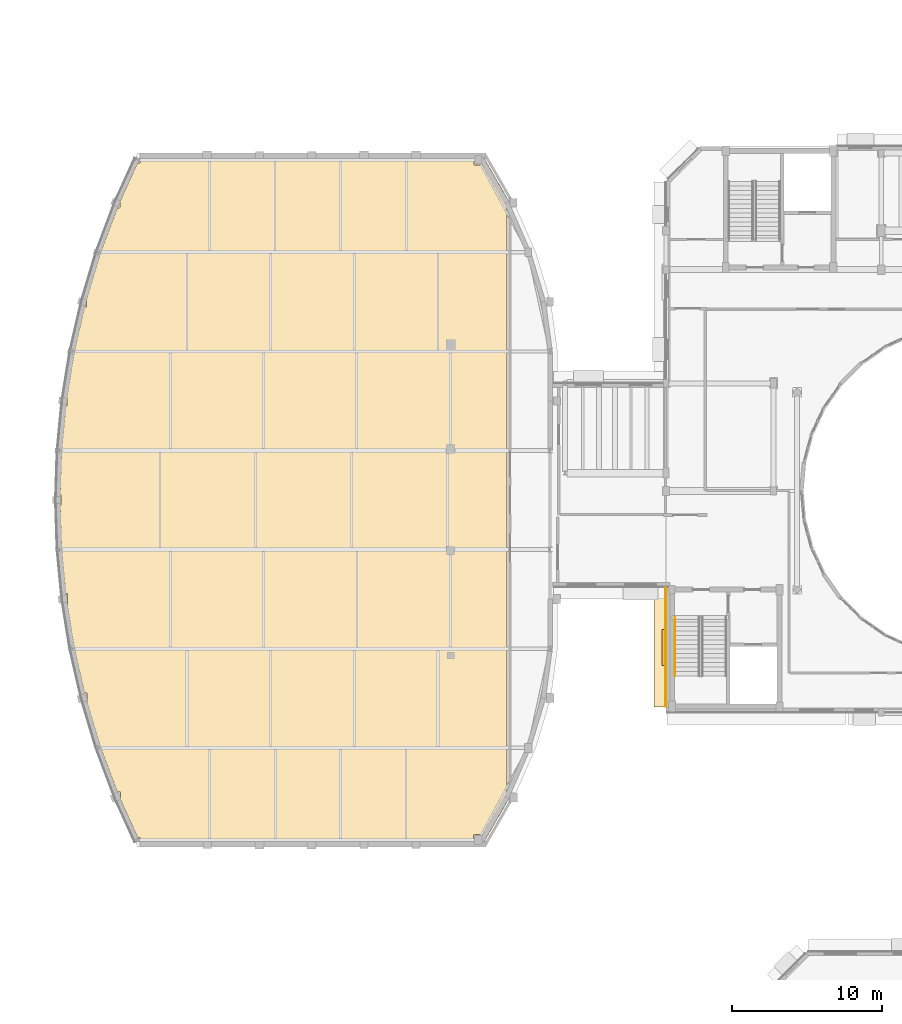
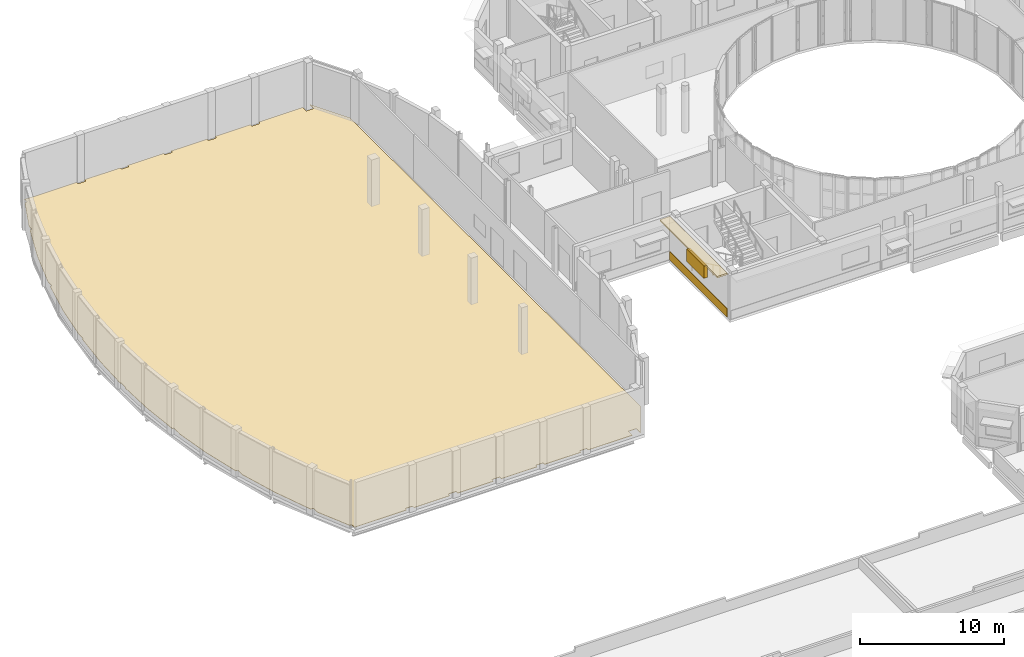
# One storey, part 90 of 105: 3 coverings, 1 railing, 1 shading device.
"""IFC4 building model written with IfcOpenShell, lengths in metres."""

from ifc_helpers import new_model, si_unit, direction, frame, origin, origin_2d, place, context, subcontext, project, spatial, polyline, rectangle, circle, outline, extrude, material, layer, layer_set, type_object, element, save


model = new_model("IFC4")

# Units and contexts
model_context = context("Model", 3, precision=1e-05, world=origin(), true_north=direction((0.0, 1.0)))
body_context = subcontext(model_context, "Body", "Model", "MODEL_VIEW")
ifc_project = project(units=[si_unit("LENGTHUNIT", "METRE"), si_unit("AREAUNIT", "SQUARE_METRE"), si_unit("VOLUMEUNIT", "CUBIC_METRE"), si_unit("PLANEANGLEUNIT", "RADIAN"), si_unit("MASSUNIT", "GRAM", prefix="KILO")], contexts=[model_context])

# Site, building, storey
site_placement = place(None, origin())
site = spatial("IfcSite", under=ifc_project, at=site_placement, CompositionType="ELEMENT")
building_placement = place(site_placement, origin())
building = spatial("IfcBuilding", under=site, at=building_placement, Name="Kelanivale Promenade Academy", CompositionType="ELEMENT")
storey_placement = place(building_placement, frame((0.0, 0.0, 4.199951171875)))
storey = spatial("IfcBuildingStorey", under=building, at=storey_placement, Name="L01", CompositionType="ELEMENT", Elevation=4.199951171875)

# Coverings
ifc_material_1 = material(Name="Warm ivory Art Deco stucco frieze band 40 mm", Category="masonry")
ifc_layer_1 = layer(ifc_material_1, 0.0400390625)
ifc_layer_set_1 = layer_set([ifc_layer_1], Name="Warm ivory Art Deco stucco frieze band 40 mm")
covering_type_1 = type_object("IfcCoveringType", Name="COV-CLD2 Warm ivory Art Deco stucco frieze ba", PredefinedType="CLADDING", material=ifc_layer_set_1)
covering_1_placement = place(storey_placement, frame((42.800048828125, 46.340087890625, 3.6201171875), z_axis=(0.0, 0.0, 1.0), x_axis=(0.0, -1.0, 0.0)))
element("IfcCovering", 1, at=covering_1_placement, inside=storey, type_object=covering_type_1, Name="Art Deco projecting 820 mm streamline sunshade eyebrow ledge", PredefinedType="CLADDING", context=body_context, shape_type="SweptSolid", body=[
    extrude(rectangle(XDim=7.9599609375, YDim=0.820068359375, at=origin_2d()), origin(), (0.0, 0.0, 1.0), 0.139892578125),
])
covering_2_placement = place(storey_placement, frame((43.18505859375, 46.340087890625, 0.06005859375), z_axis=(0.0, 0.0, 1.0), x_axis=(0.0, -1.0, 0.0)))
element("IfcCovering", 2, at=covering_2_placement, inside=storey, type_object=covering_type_1, Name="Art Deco ivory stucco sill frieze band", PredefinedType="CLADDING", context=body_context, shape_type="SweptSolid", body=[
    extrude(rectangle(XDim=7.9599609375, YDim=0.0400390625, at=origin_2d()), origin(), (0.0, 0.0, 1.0), 0.719970703125),
])
ifc_material_2 = material(Name="Sprung hardwood sports floor finish 35 mm", Category="wood")
ifc_layer_2 = layer(ifc_material_2, 0.034912109375)
ifc_layer_set_2 = layer_set([ifc_layer_2], Name="Sprung hardwood sports floor finish 35 mm")
covering_type_2 = type_object("IfcCoveringType", Name="COV-FLR1 Sprung hardwood sports floor finish ", PredefinedType="FLOORING", material=ifc_layer_set_2)
covering_3_placement = place(storey_placement, origin())
element("IfcCovering", 3, at=covering_3_placement, inside=storey, type_object=covering_type_2, Name="Multi-Purpose Sports Hall sprung hardwood flooring", PredefinedType="FLOORING", context=body_context, shape_type="SweptSolid", body=[
    extrude(outline(polyline([(4.31103515625, 43.31298828125), (4.427978515625, 43.31298828125), (4.43310546875, 43.31298828125), (4.43798828125, 43.31201171875), (4.443115234375, 43.31103515625), (4.447021484375, 43.30908203125), (4.451904296875, 43.306884765625), (4.4560546875, 43.304931640625), (4.4599609375, 43.302001953125), (4.462890625, 43.298095703125), (4.467041015625, 43.294921875), (4.469970703125, 43.291015625), (4.471923828125, 43.287109375), (4.47412109375, 43.281982421875), (4.47607421875, 43.278076171875), (4.47705078125, 43.27294921875), (4.47802734375, 43.26806640625), (4.47802734375, 43.262939453125), (4.47802734375, 42.68310546875), (5.366943359375, 39.715087890625), (6.5029296875, 36.68408203125), (6.6630859375, 36.68408203125), (6.66796875, 36.68408203125), (6.673095703125, 36.68310546875), (6.677978515625, 36.681884765625), (6.681884765625, 36.679931640625), (6.68701171875, 36.677978515625), (6.69091796875, 36.676025390625), (6.695068359375, 36.673095703125), (6.697998046875, 36.6689453125), (6.701904296875, 36.666015625), (6.705078125, 36.662109375), (6.70703125, 36.657958984375), (6.708984375, 36.653076171875), (6.7109375, 36.64892578125), (6.7119140625, 36.64404296875), (6.712890625, 36.638916015625), (6.712890625, 36.634033203125), (6.712890625, 36.176025390625), (7.8720703125, 33.6298828125), (7.991943359375, 33.6298828125), (7.99609375, 33.62890625), (8.0009765625, 33.62890625), (8.006103515625, 33.626953125), (8.010986328125, 33.6259765625), (8.014892578125, 33.6240234375), (8.01904296875, 33.62109375), (8.02294921875, 33.617919921875), (8.027099609375, 33.614990234375), (8.030029296875, 33.611083984375), (8.032958984375, 33.60693359375), (8.035888671875, 33.60302734375), (8.0380859375, 33.59912109375), (8.0390625, 33.593994140625), (8.041015625, 33.589111328125), (8.041015625, 33.583984375), (8.0419921875, 33.580078125), (8.0419921875, 33.320068359375), (8.041015625, 33.31591796875), (8.041015625, 33.31103515625), (8.0390625, 33.305908203125), (8.0380859375, 33.301025390625), (8.035888671875, 33.297119140625), (8.032958984375, 33.29296875), (8.030029296875, 33.2890625), (8.028076171875, 33.287109375), (8.035888671875, 33.27001953125), (12.22509765625, 33.27001953125), (12.22509765625, 33.4150390625), (12.22509765625, 33.419921875), (12.22607421875, 33.425048828125), (12.22705078125, 33.429931640625), (12.22900390625, 33.43408203125), (12.23095703125, 33.43896484375), (12.23291015625, 33.443115234375), (12.236083984375, 33.447021484375), (12.239990234375, 33.449951171875), (12.242919921875, 33.4541015625), (12.2470703125, 33.45703125), (12.2509765625, 33.458984375), (12.256103515625, 33.4609375), (12.260009765625, 33.462890625), (12.264892578125, 33.464111328125), (12.27001953125, 33.465087890625), (12.27490234375, 33.465087890625), (12.764892578125, 33.465087890625), (12.77001953125, 33.465087890625), (12.77490234375, 33.464111328125), (12.780029296875, 33.462890625), (12.783935546875, 33.4609375), (12.7890625, 33.458984375), (12.79296875, 33.45703125), (12.797119140625, 33.4541015625), (12.800048828125, 33.449951171875), (12.803955078125, 33.447021484375), (12.806884765625, 33.443115234375), (12.80908203125, 33.43896484375), (12.81103515625, 33.43408203125), (12.81298828125, 33.429931640625), (12.81396484375, 33.425048828125), (12.81494140625, 33.419921875), (12.81494140625, 33.4150390625), (12.81494140625, 33.27001953125), (15.693115234375, 33.27001953125), (15.693115234375, 33.43994140625), (15.693115234375, 33.445068359375), (15.694091796875, 33.449951171875), (15.695068359375, 33.455078125), (15.697021484375, 33.458984375), (15.698974609375, 33.464111328125), (15.700927734375, 33.468017578125), (15.7041015625, 33.471923828125), (15.7080078125, 33.47509765625), (15.7109375, 33.47900390625), (15.715087890625, 33.48193359375), (15.718994140625, 33.48388671875), (15.72412109375, 33.486083984375), (15.72802734375, 33.488037109375), (15.73291015625, 33.489013671875), (15.738037109375, 33.489990234375), (15.742919921875, 33.489990234375), (16.282958984375, 33.489990234375), (16.2880859375, 33.489990234375), (16.29296875, 33.489013671875), (16.298095703125, 33.488037109375), (16.302001953125, 33.486083984375), (16.306884765625, 33.48388671875), (16.31103515625, 33.48193359375), (16.31494140625, 33.47900390625), (16.318115234375, 33.47509765625), (16.322021484375, 33.471923828125), (16.324951171875, 33.468017578125), (16.326904296875, 33.464111328125), (16.3291015625, 33.458984375), (16.3310546875, 33.455078125), (16.33203125, 33.449951171875), (16.3330078125, 33.445068359375), (16.3330078125, 33.43994140625), (16.3330078125, 33.27001953125), (19.18603515625, 33.27001953125), (19.18603515625, 33.43994140625), (19.18603515625, 33.445068359375), (19.18701171875, 33.449951171875), (19.18798828125, 33.455078125), (19.18994140625, 33.458984375), (19.19189453125, 33.464111328125), (19.194091796875, 33.468017578125), (19.197021484375, 33.471923828125), (19.200927734375, 33.47509765625), (19.2041015625, 33.47900390625), (19.2080078125, 33.48193359375), (19.2119140625, 33.48388671875), (19.217041015625, 33.486083984375), (19.220947265625, 33.488037109375), (19.22607421875, 33.489013671875), (19.23095703125, 33.489990234375), (19.236083984375, 33.489990234375), (19.77587890625, 33.489990234375), (19.781005859375, 33.489990234375), (19.785888671875, 33.489013671875), (19.791015625, 33.488037109375), (19.794921875, 33.486083984375), (19.800048828125, 33.48388671875), (19.803955078125, 33.48193359375), (19.80810546875, 33.47900390625), (19.81103515625, 33.47509765625), (19.81494140625, 33.471923828125), (19.818115234375, 33.468017578125), (19.820068359375, 33.464111328125), (19.822021484375, 33.458984375), (19.823974609375, 33.455078125), (19.824951171875, 33.449951171875), (19.825927734375, 33.445068359375), (19.825927734375, 33.43994140625), (19.825927734375, 33.27001953125), (22.7041015625, 33.27001953125), (22.7041015625, 33.4150390625), (22.7041015625, 33.419921875), (22.705078125, 33.425048828125), (22.7060546875, 33.429931640625), (22.7080078125, 33.43408203125), (22.7099609375, 33.43896484375), (22.7119140625, 33.443115234375), (22.715087890625, 33.447021484375), (22.718994140625, 33.449951171875), (22.721923828125, 33.4541015625), (22.72607421875, 33.45703125), (22.72998046875, 33.458984375), (22.735107421875, 33.4609375), (22.739013671875, 33.462890625), (22.743896484375, 33.464111328125), (22.7490234375, 33.465087890625), (22.75390625, 33.465087890625), (23.243896484375, 33.465087890625), (23.2490234375, 33.465087890625), (23.25390625, 33.464111328125), (23.259033203125, 33.462890625), (23.262939453125, 33.4609375), (23.26806640625, 33.458984375), (23.27197265625, 33.45703125), (23.27587890625, 33.4541015625), (23.279052734375, 33.449951171875), (23.282958984375, 33.447021484375), (23.285888671875, 33.443115234375), (23.2880859375, 33.43896484375), (23.2900390625, 33.43408203125), (23.2919921875, 33.429931640625), (23.29296875, 33.425048828125), (23.2939453125, 33.419921875), (23.2939453125, 33.4150390625), (23.2939453125, 33.27001953125), (26.197021484375, 33.27001953125), (26.197021484375, 33.4150390625), (26.197021484375, 33.419921875), (26.197998046875, 33.425048828125), (26.198974609375, 33.429931640625), (26.200927734375, 33.43408203125), (26.202880859375, 33.43896484375), (26.205078125, 33.443115234375), (26.2080078125, 33.447021484375), (26.2119140625, 33.449951171875), (26.215087890625, 33.4541015625), (26.218994140625, 33.45703125), (26.222900390625, 33.458984375), (26.22802734375, 33.4609375), (26.23193359375, 33.462890625), (26.237060546875, 33.464111328125), (26.241943359375, 33.465087890625), (26.2470703125, 33.465087890625), (26.737060546875, 33.465087890625), (26.741943359375, 33.465087890625), (26.7470703125, 33.464111328125), (26.751953125, 33.462890625), (26.756103515625, 33.4609375), (26.760986328125, 33.458984375), (26.764892578125, 33.45703125), (26.76904296875, 33.4541015625), (26.77197265625, 33.449951171875), (26.77587890625, 33.447021484375), (26.779052734375, 33.443115234375), (26.781005859375, 33.43896484375), (26.782958984375, 33.43408203125), (26.784912109375, 33.429931640625), (26.785888671875, 33.425048828125), (26.787109375, 33.419921875), (26.787109375, 33.4150390625), (26.787109375, 33.27001953125), (30.330078125, 33.27001953125), (30.330078125, 33.77001953125), (30.330078125, 33.77490234375), (30.3310546875, 33.780029296875), (30.33203125, 33.784912109375), (30.333984375, 33.7890625), (30.3359375, 33.7939453125), (30.337890625, 33.798095703125), (30.341064453125, 33.802001953125), (30.344970703125, 33.804931640625), (30.347900390625, 33.80908203125), (30.35205078125, 33.81201171875), (30.35595703125, 33.81396484375), (30.361083984375, 33.81591796875), (30.364990234375, 33.818115234375), (30.3701171875, 33.819091796875), (30.375, 33.820068359375), (30.3798828125, 33.820068359375), (30.919921875, 33.820068359375), (30.925048828125, 33.820068359375), (30.929931640625, 33.819091796875), (30.93505859375, 33.818115234375), (30.93896484375, 33.81591796875), (30.944091796875, 33.81396484375), (30.947998046875, 33.81201171875), (30.951904296875, 33.80908203125), (30.955078125, 33.804931640625), (30.958984375, 33.802001953125), (30.9619140625, 33.798095703125), (30.964111328125, 33.7939453125), (30.966064453125, 33.7890625), (30.968017578125, 33.784912109375), (30.968994140625, 33.780029296875), (30.969970703125, 33.77490234375), (30.969970703125, 33.77001953125), (30.969970703125, 33.27001953125), (30.992919921875, 33.27001953125), (32.570068359375, 36.01904296875), (32.570068359375, 76.381103515625), (30.992919921875, 79.1298828125), (30.945068359375, 79.1298828125), (30.945068359375, 78.655029296875), (30.945068359375, 78.64990234375), (30.944091796875, 78.64501953125), (30.943115234375, 78.639892578125), (30.94091796875, 78.635986328125), (30.93896484375, 78.631103515625), (30.93701171875, 78.626953125), (30.93408203125, 78.623046875), (30.929931640625, 78.6201171875), (30.927001953125, 78.615966796875), (30.923095703125, 78.613037109375), (30.9189453125, 78.611083984375), (30.9140625, 78.60888671875), (30.909912109375, 78.60693359375), (30.905029296875, 78.60595703125), (30.89990234375, 78.60498046875), (30.89501953125, 78.60498046875), (30.405029296875, 78.60498046875), (30.39990234375, 78.60498046875), (30.39501953125, 78.60595703125), (30.389892578125, 78.60693359375), (30.385986328125, 78.60888671875), (30.381103515625, 78.611083984375), (30.376953125, 78.613037109375), (30.373046875, 78.615966796875), (30.3701171875, 78.6201171875), (30.365966796875, 78.623046875), (30.363037109375, 78.626953125), (30.361083984375, 78.631103515625), (30.35888671875, 78.635986328125), (30.35693359375, 78.639892578125), (30.35595703125, 78.64501953125), (30.35498046875, 78.64990234375), (30.35498046875, 78.655029296875), (30.35498046875, 79.1298828125), (26.81201171875, 79.1298828125), (26.81201171875, 78.9599609375), (26.81201171875, 78.955078125), (26.81103515625, 78.949951171875), (26.81005859375, 78.945068359375), (26.80810546875, 78.94091796875), (26.805908203125, 78.93603515625), (26.803955078125, 78.931884765625), (26.801025390625, 78.927978515625), (26.797119140625, 78.925048828125), (26.7939453125, 78.9208984375), (26.7900390625, 78.91796875), (26.785888671875, 78.916015625), (26.781005859375, 78.9140625), (26.777099609375, 78.912109375), (26.77197265625, 78.910888671875), (26.76708984375, 78.909912109375), (26.761962890625, 78.909912109375), (26.221923828125, 78.909912109375), (26.217041015625, 78.909912109375), (26.2119140625, 78.910888671875), (26.20703125, 78.912109375), (26.202880859375, 78.9140625), (26.197998046875, 78.916015625), (26.194091796875, 78.91796875), (26.18994140625, 78.9208984375), (26.18701171875, 78.925048828125), (26.18310546875, 78.927978515625), (26.179931640625, 78.931884765625), (26.177978515625, 78.93603515625), (26.176025390625, 78.94091796875), (26.174072265625, 78.945068359375), (26.173095703125, 78.949951171875), (26.172119140625, 78.955078125), (26.172119140625, 78.9599609375), (26.172119140625, 79.1298828125), (23.319091796875, 79.1298828125), (23.319091796875, 78.9599609375), (23.319091796875, 78.955078125), (23.318115234375, 78.949951171875), (23.31689453125, 78.945068359375), (23.31494140625, 78.94091796875), (23.31298828125, 78.93603515625), (23.31103515625, 78.931884765625), (23.30810546875, 78.927978515625), (23.303955078125, 78.925048828125), (23.301025390625, 78.9208984375), (23.297119140625, 78.91796875), (23.29296875, 78.916015625), (23.2880859375, 78.9140625), (23.283935546875, 78.912109375), (23.279052734375, 78.910888671875), (23.27392578125, 78.909912109375), (23.26904296875, 78.909912109375), (22.72900390625, 78.909912109375), (22.72412109375, 78.909912109375), (22.718994140625, 78.910888671875), (22.714111328125, 78.912109375), (22.7099609375, 78.9140625), (22.705078125, 78.916015625), (22.700927734375, 78.91796875), (22.697021484375, 78.9208984375), (22.694091796875, 78.925048828125), (22.68994140625, 78.927978515625), (22.68701171875, 78.931884765625), (22.68505859375, 78.93603515625), (22.68310546875, 78.94091796875), (22.680908203125, 78.945068359375), (22.679931640625, 78.949951171875), (22.678955078125, 78.955078125), (22.678955078125, 78.9599609375), (22.678955078125, 79.1298828125), (19.801025390625, 79.1298828125), (19.801025390625, 78.985107421875), (19.801025390625, 78.97998046875), (19.800048828125, 78.97509765625), (19.799072265625, 78.969970703125), (19.797119140625, 78.966064453125), (19.794921875, 78.9609375), (19.79296875, 78.95703125), (19.7900390625, 78.952880859375), (19.785888671875, 78.949951171875), (19.782958984375, 78.946044921875), (19.779052734375, 78.943115234375), (19.77490234375, 78.94091796875), (19.77001953125, 78.93896484375), (19.76611328125, 78.93701171875), (19.760986328125, 78.93603515625), (19.756103515625, 78.93505859375), (19.7509765625, 78.93505859375), (19.260986328125, 78.93505859375), (19.256103515625, 78.93505859375), (19.2509765625, 78.93603515625), (19.24609375, 78.93701171875), (19.241943359375, 78.93896484375), (19.237060546875, 78.94091796875), (19.23291015625, 78.943115234375), (19.22900390625, 78.946044921875), (19.22607421875, 78.949951171875), (19.221923828125, 78.952880859375), (19.218994140625, 78.95703125), (19.217041015625, 78.9609375), (19.215087890625, 78.966064453125), (19.212890625, 78.969970703125), (19.2119140625, 78.97509765625), (19.2109375, 78.97998046875), (19.2109375, 78.985107421875), (19.2109375, 79.1298828125), (16.30810546875, 79.1298828125), (16.30810546875, 78.985107421875), (16.30810546875, 78.97998046875), (16.306884765625, 78.97509765625), (16.305908203125, 78.969970703125), (16.303955078125, 78.966064453125), (16.302001953125, 78.9609375), (16.300048828125, 78.95703125), (16.297119140625, 78.952880859375), (16.29296875, 78.949951171875), (16.2900390625, 78.946044921875), (16.285888671875, 78.943115234375), (16.281982421875, 78.94091796875), (16.277099609375, 78.93896484375), (16.27294921875, 78.93701171875), (16.26806640625, 78.93603515625), (16.262939453125, 78.93505859375), (16.258056640625, 78.93505859375), (15.76806640625, 78.93505859375), (15.762939453125, 78.93505859375), (15.758056640625, 78.93603515625), (15.7529296875, 78.93701171875), (15.7490234375, 78.93896484375), (15.743896484375, 78.94091796875), (15.739990234375, 78.943115234375), (15.736083984375, 78.946044921875), (15.73291015625, 78.949951171875), (15.72900390625, 78.952880859375), (15.72607421875, 78.95703125), (15.72412109375, 78.9609375), (15.721923828125, 78.966064453125), (15.719970703125, 78.969970703125), (15.718994140625, 78.97509765625), (15.718017578125, 78.97998046875), (15.718017578125, 78.985107421875), (15.718017578125, 79.1298828125), (12.840087890625, 79.1298828125), (12.840087890625, 78.9599609375), (12.840087890625, 78.955078125), (12.839111328125, 78.949951171875), (12.837890625, 78.945068359375), (12.8359375, 78.94091796875), (12.833984375, 78.93603515625), (12.83203125, 78.931884765625), (12.8291015625, 78.927978515625), (12.824951171875, 78.925048828125), (12.822021484375, 78.9208984375), (12.818115234375, 78.91796875), (12.81396484375, 78.916015625), (12.80908203125, 78.9140625), (12.804931640625, 78.912109375), (12.800048828125, 78.910888671875), (12.794921875, 78.909912109375), (12.7900390625, 78.909912109375), (12.25, 78.909912109375), (12.2451171875, 78.909912109375), (12.239990234375, 78.910888671875), (12.235107421875, 78.912109375), (12.23095703125, 78.9140625), (12.22607421875, 78.916015625), (12.221923828125, 78.91796875), (12.218017578125, 78.9208984375), (12.215087890625, 78.925048828125), (12.2109375, 78.927978515625), (12.2080078125, 78.931884765625), (12.2060546875, 78.93603515625), (12.2041015625, 78.94091796875), (12.201904296875, 78.945068359375), (12.200927734375, 78.949951171875), (12.199951171875, 78.955078125), (12.199951171875, 78.9599609375), (12.199951171875, 79.1298828125), (8.050048828125, 79.1298828125), (8.052001953125, 79.1279296875), (8.053955078125, 79.1240234375), (8.055908203125, 79.118896484375), (8.05810546875, 79.114990234375), (8.05908203125, 79.110107421875), (8.06005859375, 79.10498046875), (8.06005859375, 79.10009765625), (8.06005859375, 78.800048828125), (8.06005859375, 78.794921875), (8.05908203125, 78.7900390625), (8.05810546875, 78.784912109375), (8.055908203125, 78.781005859375), (8.053955078125, 78.77587890625), (8.052001953125, 78.77197265625), (8.049072265625, 78.76806640625), (8.0458984375, 78.763916015625), (8.0419921875, 78.760986328125), (8.0380859375, 78.758056640625), (8.033935546875, 78.756103515625), (8.029052734375, 78.75390625), (8.02490234375, 78.751953125), (8.02001953125, 78.7509765625), (8.014892578125, 78.75), (8.010009765625, 78.75), (7.863037109375, 78.75), (6.68798828125, 76.1689453125), (6.68798828125, 75.791015625), (6.68798828125, 75.785888671875), (6.68701171875, 75.781005859375), (6.68603515625, 75.77587890625), (6.68408203125, 75.77197265625), (6.681884765625, 75.76708984375), (6.679931640625, 75.762939453125), (6.677001953125, 75.759033203125), (6.673095703125, 75.756103515625), (6.669921875, 75.751953125), (6.666015625, 75.7490234375), (6.662109375, 75.7470703125), (6.656982421875, 75.7451171875), (6.653076171875, 75.742919921875), (6.64794921875, 75.741943359375), (6.64306640625, 75.740966796875), (6.637939453125, 75.740966796875), (6.511962890625, 75.740966796875), (5.366943359375, 72.68505859375), (4.452880859375, 69.633056640625), (4.452880859375, 69.162109375), (4.452880859375, 69.156982421875), (4.451904296875, 69.152099609375), (4.450927734375, 69.14697265625), (4.448974609375, 69.14306640625), (4.447021484375, 69.137939453125), (4.445068359375, 69.134033203125), (4.44189453125, 69.1298828125), (4.43798828125, 69.126953125), (4.43505859375, 69.123046875), (4.430908203125, 69.1201171875), (4.427001953125, 69.117919921875), (4.422119140625, 69.115966796875), (4.41796875, 69.114013671875), (4.4130859375, 69.113037109375), (4.407958984375, 69.112060546875), (4.403076171875, 69.112060546875), (4.31591796875, 69.112060546875), (3.6240234375, 66.092041015625), (3.14892578125, 63.153076171875), (3.15087890625, 63.152099609375), (3.153076171875, 63.14794921875), (3.155029296875, 63.14306640625), (3.156982421875, 63.138916015625), (3.157958984375, 63.134033203125), (3.158935546875, 63.12890625), (3.158935546875, 63.1240234375), (3.158935546875, 62.533935546875), (3.158935546875, 62.529052734375), (3.157958984375, 62.52392578125), (3.156982421875, 62.51904296875), (3.155029296875, 62.514892578125), (3.153076171875, 62.510009765625), (3.15087890625, 62.506103515625), (3.14794921875, 62.501953125), (3.14404296875, 62.4990234375), (3.14111328125, 62.4951171875), (3.136962890625, 62.491943359375), (3.133056640625, 62.489990234375), (3.1279296875, 62.488037109375), (3.1240234375, 62.486083984375), (3.118896484375, 62.485107421875), (3.114013671875, 62.48388671875), (3.10888671875, 62.48388671875), (3.06201171875, 62.48388671875), (2.77587890625, 59.4970703125), (2.680908203125, 56.544921875), (2.68505859375, 56.544921875), (2.68994140625, 56.544921875), (2.695068359375, 56.5439453125), (2.699951171875, 56.54296875), (2.7041015625, 56.541015625), (2.708984375, 56.5390625), (2.712890625, 56.537109375), (2.717041015625, 56.533935546875), (2.719970703125, 56.530029296875), (2.72412109375, 56.527099609375), (2.72705078125, 56.52294921875), (2.72900390625, 56.51904296875), (2.73095703125, 56.513916015625), (2.73291015625, 56.510009765625), (2.73388671875, 56.5048828125), (2.735107421875, 56.5), (2.735107421875, 56.4951171875), (2.735107421875, 55.905029296875), (2.735107421875, 55.89990234375), (2.73388671875, 55.89501953125), (2.73291015625, 55.889892578125), (2.73095703125, 55.885986328125), (2.72900390625, 55.881103515625), (2.72705078125, 55.876953125), (2.72412109375, 55.873046875), (2.719970703125, 55.8701171875), (2.717041015625, 55.865966796875), (2.712890625, 55.863037109375), (2.708984375, 55.861083984375), (2.7041015625, 55.85888671875), (2.699951171875, 55.85693359375), (2.695068359375, 55.85595703125), (2.68994140625, 55.85498046875), (2.68505859375, 55.85498046875), (2.680908203125, 55.85498046875), (2.77587890625, 52.903076171875), (3.05908203125, 49.94091796875), (3.134033203125, 49.94091796875), (3.138916015625, 49.94091796875), (3.14404296875, 49.93994140625), (3.14892578125, 49.93896484375), (3.153076171875, 49.93701171875), (3.157958984375, 49.93505859375), (3.162109375, 49.93310546875), (3.166015625, 49.929931640625), (3.1689453125, 49.926025390625), (3.173095703125, 49.923095703125), (3.176025390625, 49.9189453125), (3.177978515625, 49.9150390625), (3.179931640625, 49.909912109375), (3.181884765625, 49.906005859375), (3.18310546875, 49.90087890625), (3.18408203125, 49.89599609375), (3.18408203125, 49.89111328125), (3.18408203125, 49.2509765625), (3.18408203125, 49.24609375), (3.18310546875, 49.240966796875), (3.181884765625, 49.236083984375), (3.179931640625, 49.23193359375), (3.177978515625, 49.22705078125), (3.176025390625, 49.222900390625), (3.173095703125, 49.218994140625), (3.1689453125, 49.216064453125), (3.166015625, 49.2119140625), (3.162109375, 49.208984375), (3.157958984375, 49.20703125), (3.156005859375, 49.2060546875), (3.6240234375, 46.30810546875), (4.31103515625, 43.31298828125)])), origin(), (0.0, 0.0, 1.0), 0.03515625),
])

# Railing
ifc_material_3 = material(Name="Brushed stainless steel grade 316", Category="steel")
railing_type = type_object("IfcRailingType", Name="HR-01 Pitch Handrail 900mm", PredefinedType="HANDRAIL", material=ifc_material_3)
railing_placement = place(storey_placement, frame((43.81494140625, 48.344970703125, 0.142822265625)))
element("IfcRailing", 4, at=railing_placement, inside=storey, type_object=railing_type, Name="L01 ST-06 stair handrail 1", PredefinedType="HANDRAIL", context=body_context, shape_type="SweptSolid", body=[
    extrude(circle(Radius=0.02392578125, at=origin_2d()), frame((0.0, 0.0, 0.8759765625), z_axis=(0.0, -0.902853205547, 0.429948937937), x_axis=(1.0, 0.0, 0.0)), (0.0, 0.0, 1.0), 4.319580078125),
    extrude(circle(Radius=0.02099609375, at=origin_2d()), origin(), (0.0, 0.0, 1.0), 0.851806640625),
    extrude(circle(Radius=0.02099609375, at=origin_2d()), frame((0.0, -0.97509765625, 0.46435546875)), (0.0, 0.0, 1.0), 0.851806640625),
    extrude(circle(Radius=0.02099609375, at=origin_2d()), frame((0.0, -1.949951171875, 0.9287109375)), (0.0, 0.0, 1.0), 0.851806640625),
    extrude(circle(Radius=0.02099609375, at=origin_2d()), frame((0.0, -2.9248046875, 1.392822265625)), (0.0, 0.0, 1.0), 0.851806640625),
    extrude(circle(Radius=0.02099609375, at=origin_2d()), frame((0.0, -3.89990234375, 1.857177734375)), (0.0, 0.0, 1.0), 0.851806640625),
])

# Shading device
ifc_material_4 = material(Name="Bronze anodised aluminium EN AW-6063 T6", Category="aluminium")
ifc_layer_3 = layer(ifc_material_4, 0.080078125)
ifc_layer_set_3 = layer_set([ifc_layer_3], Name="Bronze anodised aluminium EN AW-6063 T6")
shading_device_type = type_object("IfcShadingDeviceType", Name="SHD-02 Perforated Brise-Soleil Screen", PredefinedType="JALOUSIE", material=ifc_layer_set_3)
shading_device_placement = place(storey_placement, frame((43.06494140625, 46.340087890625, 1.72509765625), z_axis=(0.0, 0.0, 1.0), x_axis=(0.0, -1.0, 0.0)))
element("IfcShadingDevice", 5, at=shading_device_placement, inside=storey, type_object=shading_device_type, Name="Perforated Art Deco brise-soleil louvre screen", PredefinedType="JALOUSIE", context=body_context, shape_type="SweptSolid", body=[
    extrude(rectangle(XDim=2.39990234375, YDim=0.280029296875, at=origin_2d()), origin(), (0.0, 0.0, 1.0), 1.050048828125),
])

save(model, "model.ifc")
